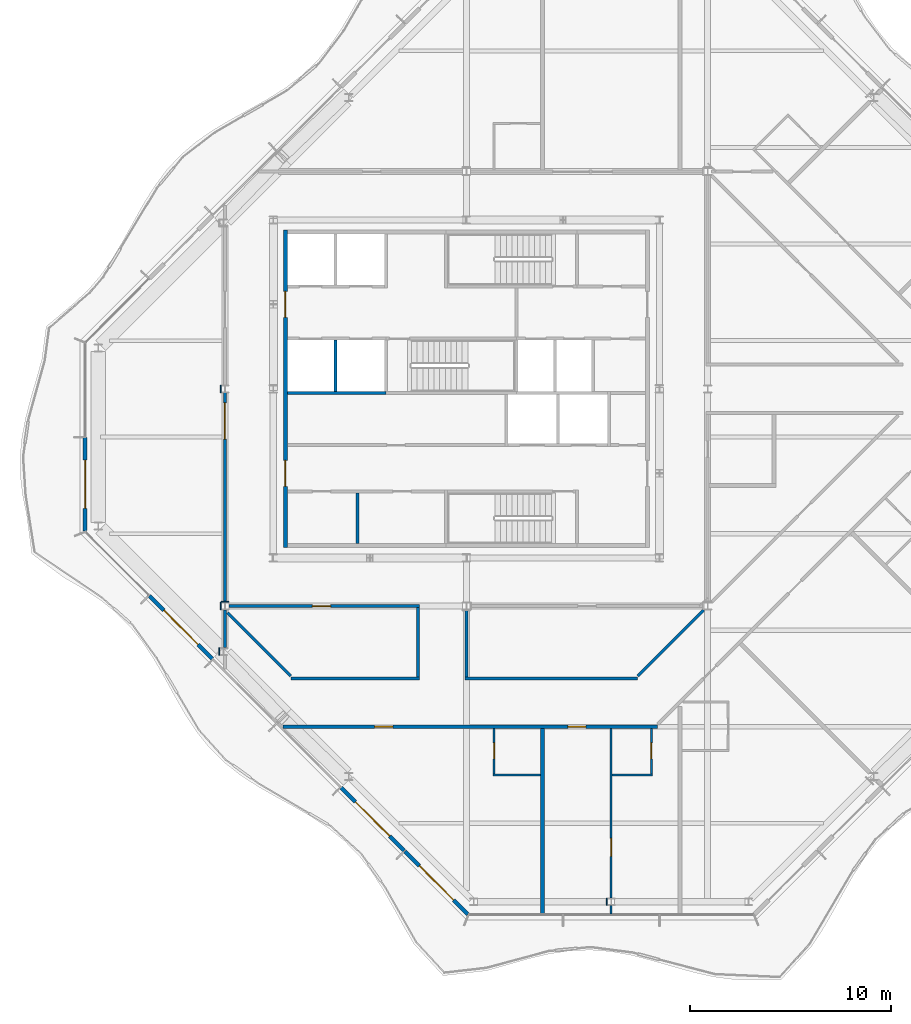
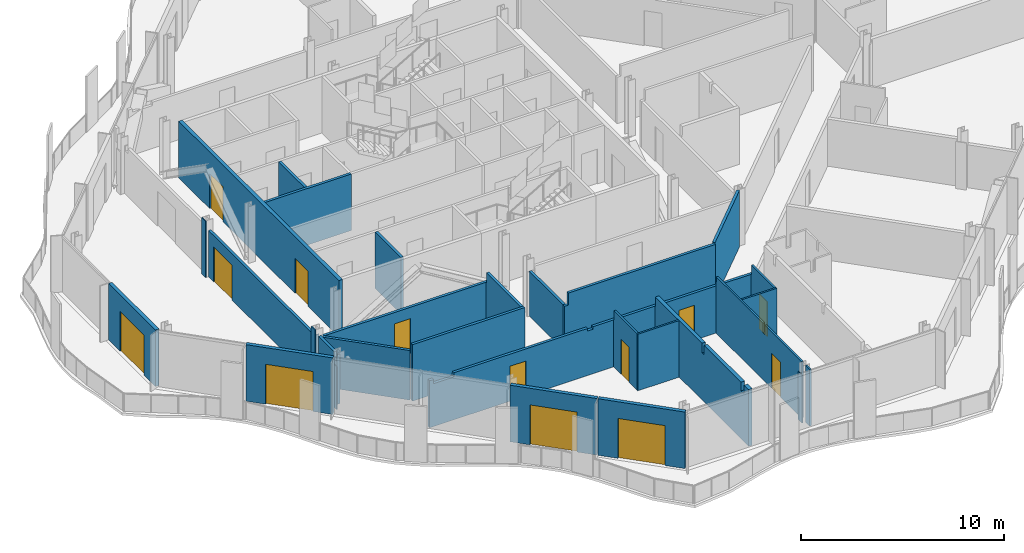
# One storey, part 7 of 17: 30 walls, 13 doors, 13 openings.
"""IFC4 building model written with IfcOpenShell, lengths in metres."""

from ifc_helpers import new_model, si_unit, direction, frame, frame_2d, origin, place, context, subcontext, project, spatial, polyline, rectangle, outline, extrude, material, layer, layer_set, type_object, element, fill, save


model = new_model("IFC4")

# Units and contexts
model_context = context("Model", 3, precision=1e-05, world=origin(), true_north=direction((0.0, 1.0)))
body_context = subcontext(model_context, "Body", "Model", "MODEL_VIEW")
ifc_project = project(units=[si_unit("LENGTHUNIT", "METRE"), si_unit("AREAUNIT", "SQUARE_METRE"), si_unit("VOLUMEUNIT", "CUBIC_METRE"), si_unit("PLANEANGLEUNIT", "RADIAN"), si_unit("MASSUNIT", "GRAM", prefix="KILO")], contexts=[model_context])

# Site, building, storey
site_placement = place(None, origin())
site = spatial("IfcSite", under=ifc_project, at=site_placement, CompositionType="ELEMENT")
building_placement = place(site_placement, origin())
building = spatial("IfcBuilding", under=site, at=building_placement, Name="Cairn Pilgrim Tower", CompositionType="ELEMENT")
storey_placement = place(building_placement, frame((0.0, 0.0, 292.199951171875)))
storey = spatial("IfcBuildingStorey", under=building, at=storey_placement, Name="L75", CompositionType="ELEMENT", Elevation=292.199951171875)

# Wall, opening, door
ifc_material_1 = material(Name="Bronze anodised aluminium insulated sandwich panel with mineral wool fill", Category="aluminium")
ifc_layer_1 = layer(ifc_material_1, 0.199951171875)
ifc_layer_set_1 = layer_set([ifc_layer_1], Name="BRONZE INFILL FRAME WALL 200")
wall_type_1 = type_object("IfcWallType", Name="BRONZE INFILL FRAME WALL 200", PredefinedType="NOTDEFINED", material=ifc_layer_set_1)
wall_1_placement = place(storey_placement, frame((-11.75, -0.030029296875, 0.0), z_axis=(0.0, 0.0, 1.0), x_axis=(0.0, -1.0, 0.0)))
wall_1 = element("IfcWall", 1, at=wall_1_placement, inside=storey, type_object=wall_type_1, Name="Bronze infill frame wall IW-W2", PredefinedType="NOTDEFINED", context=body_context, shape_type="SweptSolid", body=[
    extrude(rectangle(XDim=4.62646484375, YDim=0.199951171875, at=frame_2d((2.313232421875, 0.0))), origin(), (0.0, 0.0, 1.0), 3.400146484375),
])
opening_1_placement = place(wall_1_placement, frame((1.117919921875, 0.0, 0.0)))
opening_1 = element("IfcOpeningElement", 2, at=opening_1_placement, cuts=wall_1, Name="Opening 7502B3", PredefinedType="OPENING", context=body_context, shape_type="SweptSolid", body=[
    extrude(rectangle(XDim=2.39990234375, YDim=2.39990234375, at=frame_2d((1.199951171875, 1.199951171875))), frame((0.0, 0.10986328125, 0.0), z_axis=(0.0, -1.0, 0.0), x_axis=(1.0, 0.0, 0.0)), (0.0, 0.0, 1.0), 0.219970703125),
])
ifc_material_2 = material(Name="Bronze anodised aluminium frame with tinted low-E glass", Category="aluminium")
door_type_1 = type_object("IfcDoorType", Name="BALCONY SLIDING DOOR 2400x2400", OperationType="DOUBLE_DOOR_SLIDING", PredefinedType="DOOR", material=ifc_material_2)
door_1_placement = place(opening_1_placement, origin())
door_1 = element("IfcDoor", 3, at=door_1_placement, inside=storey, type_object=door_type_1, Name="Balcony sliding door 7502B3", OperationType="SINGLE_SWING_LEFT", OverallHeight=2.39990234375, OverallWidth=2.39990234375, PredefinedType="DOOR", context=body_context, shape_type="SweptSolid", body=[
    extrude(rectangle(XDim=2.39990234375, YDim=2.39990234375, at=frame_2d((1.199951171875, 1.199951171875))), frame((0.0, 0.02490234375, 0.0), z_axis=(0.0, -1.0, 0.0), x_axis=(1.0, 0.0, 0.0)), (0.0, 0.0, 1.0), 0.050048828125),
])
fill(opening_1, door_1)

wall_2_placement = place(storey_placement, frame((-8.55322265625, -7.893310546875, 0.0), z_axis=(0.0, 0.0, 1.0), x_axis=(0.707134329907, -0.707079231393, 0.0)))
wall_2 = element("IfcWall", 4, at=wall_2_placement, inside=storey, type_object=wall_type_1, Name="Bronze infill frame wall IW-SW2", PredefinedType="NOTDEFINED", context=body_context, shape_type="SweptSolid", body=[
    extrude(rectangle(XDim=4.430908203125, YDim=0.199951171875, at=frame_2d((2.21533203125, 0.0))), origin(), (0.0, 0.0, 1.0), 3.400146484375),
])
opening_2_placement = place(wall_2_placement, frame((1.015380859375, 0.0, 0.0)))
opening_2 = element("IfcOpeningElement", 5, at=opening_2_placement, cuts=wall_2, Name="Opening 7502B2", PredefinedType="OPENING", context=body_context, shape_type="SweptSolid", body=[
    extrude(rectangle(XDim=2.39990234375, YDim=2.39990234375, at=frame_2d((1.199951171875, 1.199951171875))), frame((0.0, 0.10986328125, 0.0), z_axis=(0.0, -1.0, 0.0), x_axis=(1.0, 0.0, 0.0)), (0.0, 0.0, 1.0), 0.219970703125),
])
door_2_placement = place(opening_2_placement, origin())
door_2 = element("IfcDoor", 6, at=door_2_placement, inside=storey, type_object=door_type_1, Name="Balcony sliding door 7502B2", OperationType="SINGLE_SWING_LEFT", OverallHeight=2.39990234375, OverallWidth=2.39990234375, PredefinedType="DOOR", context=body_context, shape_type="SweptSolid", body=[
    extrude(rectangle(XDim=2.39990234375, YDim=2.39990234375, at=frame_2d((1.199951171875, 1.199951171875))), frame((0.0, 0.02490234375, 0.0), z_axis=(0.0, -1.0, 0.0), x_axis=(1.0, 0.0, 0.0)), (0.0, 0.0, 1.0), 0.050048828125),
])
fill(opening_2, door_2)

wall_3_placement = place(storey_placement, frame((0.9736328125, -17.419921875, 0.0), z_axis=(0.0, 0.0, 1.0), x_axis=(0.707079231393, -0.707134329907, 0.0)))
wall_3 = element("IfcWall", 7, at=wall_3_placement, inside=storey, type_object=wall_type_1, Name="Bronze infill frame wall IW-SW5", PredefinedType="NOTDEFINED", context=body_context, shape_type="SweptSolid", body=[
    extrude(rectangle(XDim=4.430908203125, YDim=0.199951171875, at=frame_2d((2.21533203125, 0.0))), origin(), (0.0, 0.0, 1.0), 3.400146484375),
])
opening_3_placement = place(wall_3_placement, frame((1.01513671875, 0.0, 0.0)))
opening_3 = element("IfcOpeningElement", 8, at=opening_3_placement, cuts=wall_3, Name="Opening 7510B", PredefinedType="OPENING", context=body_context, shape_type="SweptSolid", body=[
    extrude(rectangle(XDim=2.39990234375, YDim=2.39990234375, at=frame_2d((1.199951171875, 1.199951171875))), frame((0.0, 0.10986328125, 0.0), z_axis=(0.0, -1.0, 0.0), x_axis=(1.0, 0.0, 0.0)), (0.0, 0.0, 1.0), 0.219970703125),
])
door_3_placement = place(opening_3_placement, origin())
door_3 = element("IfcDoor", 9, at=door_3_placement, inside=storey, type_object=door_type_1, Name="Balcony sliding door 7510B", OperationType="SINGLE_SWING_LEFT", OverallHeight=2.39990234375, OverallWidth=2.39990234375, PredefinedType="DOOR", context=body_context, shape_type="SweptSolid", body=[
    extrude(rectangle(XDim=2.39990234375, YDim=2.39990234375, at=frame_2d((1.199951171875, 1.199951171875))), frame((0.0, 0.02490234375, 0.0), z_axis=(0.0, -1.0, 0.0), x_axis=(1.0, 0.0, 0.0)), (0.0, 0.0, 1.0), 0.050048828125),
])
fill(opening_3, door_3)

wall_4_placement = place(storey_placement, frame((4.149169921875, -20.595703125, 0.0), z_axis=(0.0, 0.0, 1.0), x_axis=(0.707134392299, -0.707079168996, 0.0)))
wall_4 = element("IfcWall", 10, at=wall_4_placement, inside=storey, type_object=wall_type_1, Name="Bronze infill frame wall IW-SW6", PredefinedType="NOTDEFINED", context=body_context, shape_type="SweptSolid", body=[
    extrude(rectangle(XDim=4.4208984375, YDim=0.199951171875, at=frame_2d((2.21044921875, 0.0))), origin(), (0.0, 0.0, 1.0), 3.400146484375),
])
opening_4_placement = place(wall_4_placement, frame((1.01513671875, 0.0, 0.0)))
opening_4 = element("IfcOpeningElement", 11, at=opening_4_placement, cuts=wall_4, Name="Opening 7510B2", PredefinedType="OPENING", context=body_context, shape_type="SweptSolid", body=[
    extrude(rectangle(XDim=2.39990234375, YDim=2.39990234375, at=frame_2d((1.199951171875, 1.199951171875))), frame((0.0, 0.10986328125, 0.0), z_axis=(0.0, -1.0, 0.0), x_axis=(1.0, 0.0, 0.0)), (0.0, 0.0, 1.0), 0.219970703125),
])
door_4_placement = place(opening_4_placement, origin())
door_4 = element("IfcDoor", 12, at=door_4_placement, inside=storey, type_object=door_type_1, Name="Balcony sliding door 7510B2", OperationType="SINGLE_SWING_LEFT", OverallHeight=2.39990234375, OverallWidth=2.39990234375, PredefinedType="DOOR", context=body_context, shape_type="SweptSolid", body=[
    extrude(rectangle(XDim=2.39990234375, YDim=2.39990234375, at=frame_2d((1.199951171875, 1.199951171875))), frame((0.0, 0.02490234375, 0.0), z_axis=(0.0, -1.0, 0.0), x_axis=(1.0, 0.0, 0.0)), (0.0, 0.0, 1.0), 0.050048828125),
])
fill(opening_4, door_4)

# Wall, openings, doors
ifc_material_3 = material(Name="Concrete C32/40", Category="concrete")
ifc_layer_2 = layer(ifc_material_3, 0.199951171875)
ifc_layer_set_2 = layer_set([ifc_layer_2], Name="CORE OUTER WALL 200 EI 120")
wall_type_2 = type_object("IfcWallType", Name="CORE OUTER WALL 200 EI 120", PredefinedType="SOLIDWALL", material=ifc_layer_set_2)
wall_5_placement = place(storey_placement, frame((-1.800048828125, -5.5, 0.0), z_axis=(0.0, 0.0, 1.0), x_axis=(0.0, 1.0, 0.0)))
wall_5 = element("IfcWall", 13, at=wall_5_placement, inside=storey, type_object=wall_type_2, Name="CW:L75:V13", PredefinedType="SOLIDWALL", context=body_context, shape_type="SweptSolid", body=[
    extrude(rectangle(XDim=15.800048828125, YDim=0.199951171875, at=frame_2d((7.89990234375, 0.0))), origin(), (0.0, 0.0, 1.0), 3.400146484375),
])
opening_5_placement = place(wall_5_placement, frame((3.050048828125, 0.0, 0.0)))
opening_5 = element("IfcOpeningElement", 14, at=opening_5_placement, cuts=wall_5, Name="Opening CD-W1", PredefinedType="OPENING", context=body_context, shape_type="SweptSolid", body=[
    extrude(rectangle(XDim=1.300048828125, YDim=2.10009765625, at=frame_2d((0.64990234375, 1.050048828125))), frame((0.0, 0.10986328125, 0.0), z_axis=(0.0, -1.0, 0.0), x_axis=(1.0, 0.0, 0.0)), (0.0, 0.0, 1.0), 0.219970703125),
])
opening_6_placement = place(wall_5_placement, frame((11.449951171875, 0.0, 0.0)))
opening_6 = element("IfcOpeningElement", 15, at=opening_6_placement, cuts=wall_5, Name="Opening CD-W2", PredefinedType="OPENING", context=body_context, shape_type="SweptSolid", body=[
    extrude(rectangle(XDim=1.300048828125, YDim=2.10009765625, at=frame_2d((0.64990234375, 1.050048828125))), frame((0.0, 0.10986328125, 0.0), z_axis=(0.0, -1.0, 0.0), x_axis=(1.0, 0.0, 0.0)), (0.0, 0.0, 1.0), 0.219970703125),
])
ifc_material_4 = material(Name="Painted steel", Category="steel")
door_type_2 = type_object("IfcDoorType", Name="CORE LOBBY DOOR 1300x2100", OperationType="DOUBLE_DOOR_SINGLE_SWING", PredefinedType="DOOR", material=ifc_material_4)
door_5_placement = place(opening_5_placement, origin())
door_5 = element("IfcDoor", 16, at=door_5_placement, inside=storey, type_object=door_type_2, Name="CD-W1", OperationType="DOUBLE_DOOR_SINGLE_SWING", OverallHeight=2.10009765625, OverallWidth=1.300048828125, PredefinedType="DOOR", context=body_context, shape_type="SweptSolid", body=[
    extrude(rectangle(XDim=1.300048828125, YDim=2.10009765625, at=frame_2d((0.64990234375, 1.050048828125))), frame((0.0, 0.02490234375, 0.0), z_axis=(0.0, -1.0, 0.0), x_axis=(1.0, 0.0, 0.0)), (0.0, 0.0, 1.0), 0.050048828125),
])
fill(opening_5, door_5)
door_6_placement = place(opening_6_placement, origin())
door_6 = element("IfcDoor", 17, at=door_6_placement, inside=storey, type_object=door_type_2, Name="CD-W2", OperationType="DOUBLE_DOOR_SINGLE_SWING", OverallHeight=2.10009765625, OverallWidth=1.300048828125, PredefinedType="DOOR", context=body_context, shape_type="SweptSolid", body=[
    extrude(rectangle(XDim=1.300048828125, YDim=2.10009765625, at=frame_2d((0.64990234375, 1.050048828125))), frame((0.0, 0.02490234375, 0.0), z_axis=(0.0, -1.0, 0.0), x_axis=(1.0, 0.0, 0.0)), (0.0, 0.0, 1.0), 0.050048828125),
])
fill(opening_6, door_6)

# Walls
ifc_layer_3 = layer(ifc_material_3, 0.14990234375)
ifc_layer_set_3 = layer_set([ifc_layer_3], Name="CORE PARTITION 150 EI 60")
wall_type_3 = type_object("IfcWallType", Name="CORE PARTITION 150 EI 60", PredefinedType="PARTITIONING", material=ifc_layer_set_3)
wall_6_placement = place(storey_placement, frame((1.800048828125, -5.300048828125, 0.0), z_axis=(0.0, 0.0, 1.0), x_axis=(0.0, 1.0, 0.0)))
element("IfcWall", 18, at=wall_6_placement, inside=storey, type_object=wall_type_3, Name="CW:L75:V16", PredefinedType="PARTITIONING", context=body_context, shape_type="SweptSolid", body=[
    extrude(rectangle(XDim=2.525146484375, YDim=0.14990234375, at=frame_2d((1.2626953125, 0.0))), origin(), (0.0, 0.0, 1.0), 3.400146484375),
])
ifc_layer_4 = layer(ifc_material_3, 0.14990234375)
ifc_layer_set_4 = layer_set([ifc_layer_4], Name="CORE SHAFT WALL 150 EI 120")
wall_type_4 = type_object("IfcWallType", Name="CORE SHAFT WALL 150 EI 120", PredefinedType="SOLIDWALL", material=ifc_layer_set_4)
wall_7_placement = place(storey_placement, frame((-1.699951171875, 2.199951171875, 0.0), z_axis=(0.0, 0.0, 1.0), x_axis=(1.0, 0.0, 0.0)))
element("IfcWall", 19, at=wall_7_placement, inside=storey, type_object=wall_type_4, Name="CW:L75:H07-1", PredefinedType="SOLIDWALL", context=body_context, shape_type="SweptSolid", body=[
    extrude(rectangle(XDim=4.89990234375, YDim=0.14990234375, at=frame_2d((2.449951171875, 0.0))), origin(), (0.0, 0.0, 1.0), 3.400146484375),
])
wall_8_placement = place(storey_placement, frame((0.699951171875, 2.27490234375, 0.0), z_axis=(0.0, 0.0, 1.0), x_axis=(0.0, 1.0, 0.0)))
element("IfcWall", 20, at=wall_8_placement, inside=storey, type_object=wall_type_4, Name="CW:L75:V14", PredefinedType="SOLIDWALL", context=body_context, shape_type="SweptSolid", body=[
    extrude(rectangle(XDim=2.550048828125, YDim=0.14990234375, at=frame_2d((1.27490234375, 0.0))), origin(), (0.0, 0.0, 1.0), 3.400146484375),
])
ifc_material_5 = material(Name="Gypsum partition")
ifc_layer_5 = layer(ifc_material_5, 0.10009765625)
ifc_layer_set_5 = layer_set([ifc_layer_5], Name="PARTITION 100 DRYWALL")
wall_type_5 = type_object("IfcWallType", Name="PARTITION 100 DRYWALL", PredefinedType="PARTITIONING", material=ifc_layer_set_5)
wall_9_placement = place(storey_placement, frame((14.39990234375, -23.702880859375, 0.0), z_axis=(0.0, 0.0, 1.0), x_axis=(0.0, 1.0, 0.0)))
element("IfcWall", 21, at=wall_9_placement, inside=storey, type_object=wall_type_5, Name="PARTITION W002", PredefinedType="PARTITIONING", context=body_context, shape_type="SweptSolid", body=[
    extrude(rectangle(XDim=0.4189453125, YDim=0.10009765625, at=frame_2d((0.20947265625, 0.0))), origin(), (0.0, 0.0, 1.0), 3.400146484375),
])

# Wall, opening, door
wall_10_placement = place(storey_placement, frame((14.39990234375, -22.916015625, 0.0), z_axis=(0.0, 0.0, 1.0), x_axis=(0.0, 1.0, 0.0)))
wall_10 = element("IfcWall", 22, at=wall_10_placement, inside=storey, type_object=wall_type_5, Name="PARTITION W004", PredefinedType="PARTITIONING", context=body_context, shape_type="SweptSolid", body=[
    extrude(outline(polyline([(0.0, 0.0), (8.44091796875, 0.0), (8.44091796875, 2.830078125), (8.410888671875, 2.830078125), (8.408935546875, 3.400146484375), (3.821044921875, 3.400146484375), (3.819091796875, 2.830078125), (3.611083984375, 2.830078125), (3.60888671875, 3.400146484375), (0.0, 3.400146484375), (0.0, 0.0)])), frame((0.0, 0.050048828125, 0.0), z_axis=(0.0, -1.0, 0.0), x_axis=(1.0, 0.0, 0.0)), (0.0, 0.0, 1.0), 0.10009765625),
])
opening_7_placement = place(wall_10_placement, frame((2.06591796875, 0.0, 0.0)))
opening_7 = element("IfcOpeningElement", 23, at=opening_7_placement, cuts=wall_10, Name="Opening 7511C", PredefinedType="OPENING", context=body_context, shape_type="SweptSolid", body=[
    extrude(rectangle(XDim=0.89990234375, YDim=2.10009765625, at=frame_2d((0.449951171875, 1.050048828125))), frame((0.0, 0.06005859375, 0.0), z_axis=(0.0, -1.0, 0.0), x_axis=(1.0, 0.0, 0.0)), (0.0, 0.0, 1.0), 0.1201171875),
])
ifc_material_6 = material(Name="Timber door leaf", Category="wood")
door_type_3 = type_object("IfcDoorType", Name="SERVICE DOOR 900x2100", OperationType="NOTDEFINED", PredefinedType="DOOR", material=ifc_material_6)
door_7_placement = place(opening_7_placement, origin())
door_7 = element("IfcDoor", 24, at=door_7_placement, inside=storey, type_object=door_type_3, Name="DOOR 7511C", OperationType="SINGLE_SWING_RIGHT", OverallHeight=2.10009765625, OverallWidth=0.89990234375, PredefinedType="DOOR", context=body_context, shape_type="SweptSolid", body=[
    extrude(rectangle(XDim=0.89990234375, YDim=2.10009765625, at=frame_2d((0.449951171875, 1.050048828125))), frame((0.0, 0.02490234375, 0.0), z_axis=(0.0, -1.0, 0.0), x_axis=(1.0, 0.0, 0.0)), (0.0, 0.0, 1.0), 0.050048828125),
])
fill(opening_7, door_7)

# Wall
wall_11_placement = place(storey_placement, frame((8.535888671875, -16.800048828125, 0.0), z_axis=(0.0, 0.0, 1.0), x_axis=(1.0, 0.0, 0.0)))
element("IfcWall", 25, at=wall_11_placement, inside=storey, type_object=wall_type_5, Name="PARTITION W006", PredefinedType="PARTITIONING", context=body_context, shape_type="SweptSolid", body=[
    extrude(rectangle(XDim=2.35009765625, YDim=0.10009765625, at=frame_2d((1.175048828125, 0.0))), origin(), (0.0, 0.0, 1.0), 3.400146484375),
])

# Wall, opening, door
wall_12_placement = place(storey_placement, frame((8.5859375, -16.75, 0.0), z_axis=(0.0, 0.0, 1.0), x_axis=(0.0, 1.0, 0.0)))
wall_12 = element("IfcWall", 26, at=wall_12_placement, inside=storey, type_object=wall_type_5, Name="PARTITION W007", PredefinedType="PARTITIONING", context=body_context, shape_type="SweptSolid", body=[
    extrude(outline(polyline([(0.0, 0.0), (2.27490234375, 0.0), (2.27490234375, 2.830078125), (2.2451171875, 2.830078125), (2.242919921875, 3.400146484375), (0.0, 3.400146484375), (0.0, 0.0)])), frame((0.0, 0.050048828125, 0.0), z_axis=(0.0, -1.0, 0.0), x_axis=(1.0, 0.0, 0.0)), (0.0, 0.0, 1.0), 0.10009765625),
])
opening_8_placement = place(wall_12_placement, frame((0.75, 0.0, 0.0)))
opening_8 = element("IfcOpeningElement", 27, at=opening_8_placement, cuts=wall_12, Name="Opening 7510A", PredefinedType="OPENING", context=body_context, shape_type="SweptSolid", body=[
    extrude(rectangle(XDim=0.800048828125, YDim=2.10009765625, at=frame_2d((0.39990234375, 1.050048828125))), frame((0.0, 0.06005859375, 0.0), z_axis=(0.0, -1.0, 0.0), x_axis=(1.0, 0.0, 0.0)), (0.0, 0.0, 1.0), 0.1201171875),
])
door_type_4 = type_object("IfcDoorType", Name="WC DOOR 800x2100", OperationType="NOTDEFINED", PredefinedType="DOOR", material=ifc_material_6)
door_8_placement = place(opening_8_placement, origin())
door_8 = element("IfcDoor", 28, at=door_8_placement, inside=storey, type_object=door_type_4, Name="DOOR 7510A", OperationType="SINGLE_SWING_RIGHT", OverallHeight=2.10009765625, OverallWidth=0.800048828125, PredefinedType="DOOR", context=body_context, shape_type="SweptSolid", body=[
    extrude(rectangle(XDim=0.800048828125, YDim=2.10009765625, at=frame_2d((0.39990234375, 1.050048828125))), frame((0.0, 0.02490234375, 0.0), z_axis=(0.0, -1.0, 0.0), x_axis=(1.0, 0.0, 0.0)), (0.0, 0.0, 1.0), 0.050048828125),
])
fill(opening_8, door_8)

# Wall
wall_13_placement = place(storey_placement, frame((14.449951171875, -16.800048828125, 0.0), z_axis=(0.0, 0.0, 1.0), x_axis=(1.0, 0.0, 0.0)))
element("IfcWall", 29, at=wall_13_placement, inside=storey, type_object=wall_type_5, Name="PARTITION W008", PredefinedType="PARTITIONING", context=body_context, shape_type="SweptSolid", body=[
    extrude(rectangle(XDim=2.0, YDim=0.10009765625, at=frame_2d((1.0, 0.0))), origin(), (0.0, 0.0, 1.0), 3.400146484375),
])

# Wall, opening, door
wall_14_placement = place(storey_placement, frame((16.39990234375, -16.75, 0.0), z_axis=(0.0, 0.0, 1.0), x_axis=(0.0, 1.0, 0.0)))
wall_14 = element("IfcWall", 30, at=wall_14_placement, inside=storey, type_object=wall_type_5, Name="PARTITION W009", PredefinedType="PARTITIONING", context=body_context, shape_type="SweptSolid", body=[
    extrude(outline(polyline([(0.0, 0.0), (2.27490234375, 0.0), (2.27490234375, 2.830078125), (2.2451171875, 2.830078125), (2.242919921875, 3.400146484375), (0.0, 3.400146484375), (0.0, 0.0)])), frame((0.0, 0.050048828125, 0.0), z_axis=(0.0, -1.0, 0.0), x_axis=(1.0, 0.0, 0.0)), (0.0, 0.0, 1.0), 0.10009765625),
])
opening_9_placement = place(wall_14_placement, frame((0.75, 0.0, 0.0)))
opening_9 = element("IfcOpeningElement", 31, at=opening_9_placement, cuts=wall_14, Name="Opening 7511A", PredefinedType="OPENING", context=body_context, shape_type="SweptSolid", body=[
    extrude(rectangle(XDim=0.800048828125, YDim=2.10009765625, at=frame_2d((0.39990234375, 1.050048828125))), frame((0.0, 0.06005859375, 0.0), z_axis=(0.0, -1.0, 0.0), x_axis=(1.0, 0.0, 0.0)), (0.0, 0.0, 1.0), 0.1201171875),
])
door_9_placement = place(opening_9_placement, frame((0.800048828125, 0.0, 0.0), z_axis=(0.0, 0.0, 1.0), x_axis=(-1.0, 0.0, 0.0)))
door_9 = element("IfcDoor", 32, at=door_9_placement, inside=storey, type_object=door_type_4, Name="DOOR 7511A", OperationType="SINGLE_SWING_RIGHT", OverallHeight=2.10009765625, OverallWidth=0.800048828125, PredefinedType="DOOR", context=body_context, shape_type="SweptSolid", body=[
    extrude(rectangle(XDim=0.800048828125, YDim=2.10009765625, at=frame_2d((0.39990234375, 1.050048828125))), frame((0.0, 0.02490234375, 0.0), z_axis=(0.0, -1.0, 0.0), x_axis=(1.0, 0.0, 0.0)), (0.0, 0.0, 1.0), 0.050048828125),
])
fill(opening_9, door_9)

# Wall, openings, doors
ifc_layer_6 = layer(ifc_material_5, 0.14990234375)
ifc_layer_set_6 = layer_set([ifc_layer_6], Name="PARTITION 150 DRYWALL EI 60")
wall_type_6 = type_object("IfcWallType", Name="PARTITION 150 DRYWALL EI 60", PredefinedType="PARTITIONING", material=ifc_layer_set_6)
wall_15_placement = place(storey_placement, frame((-1.926025390625, -14.39990234375, 0.0), z_axis=(0.0, 0.0, 1.0), x_axis=(1.0, 0.0, 0.0)))
wall_15 = element("IfcWall", 33, at=wall_15_placement, inside=storey, type_object=wall_type_6, Name="PARTITION W013", PredefinedType="PARTITIONING", context=body_context, shape_type="SweptSolid", body=[
    extrude(outline(polyline([(0.0, 0.0), (18.626220703125, 0.0), (18.626220703125, 2.830078125), (9.276123046875, 2.830078125), (9.274169921875, 2.679931640625), (8.97607421875, 2.679931640625), (8.97412109375, 2.830078125), (1.368896484375, 2.830078125), (1.366943359375, 2.580078125), (0.22900390625, 2.580078125), (0.226806640625, 2.830078125), (0.0, 2.830078125), (0.0, 0.0)])), frame((0.0, 0.074951171875, 0.0), z_axis=(0.0, -1.0, 0.0), x_axis=(1.0, 0.0, 0.0)), (0.0, 0.0, 1.0), 0.14990234375),
])
opening_10_placement = place(wall_15_placement, frame((4.569091796875, 0.0, 0.0)))
opening_10 = element("IfcOpeningElement", 34, at=opening_10_placement, cuts=wall_15, Name="Opening 7510", PredefinedType="OPENING", context=body_context, shape_type="SweptSolid", body=[
    extrude(rectangle(XDim=0.89990234375, YDim=2.10009765625, at=frame_2d((0.449951171875, 1.050048828125))), frame((0.0, 0.0849609375, 0.0), z_axis=(0.0, -1.0, 0.0), x_axis=(1.0, 0.0, 0.0)), (0.0, 0.0, 1.0), 0.169921875),
])
opening_11_placement = place(wall_15_placement, frame((14.169189453125, 0.0, 0.0)))
opening_11 = element("IfcOpeningElement", 35, at=opening_11_placement, cuts=wall_15, Name="Opening 7511", PredefinedType="OPENING", context=body_context, shape_type="SweptSolid", body=[
    extrude(rectangle(XDim=0.89990234375, YDim=2.10009765625, at=frame_2d((0.449951171875, 1.050048828125))), frame((0.0, 0.0849609375, 0.0), z_axis=(0.0, -1.0, 0.0), x_axis=(1.0, 0.0, 0.0)), (0.0, 0.0, 1.0), 0.169921875),
])
door_type_5 = type_object("IfcDoorType", Name="ROOM DOOR 900x2100 FD30S", OperationType="NOTDEFINED", PredefinedType="DOOR", material=ifc_material_6)
door_10_placement = place(opening_10_placement, frame((0.89990234375, 0.0, 0.0), z_axis=(0.0, 0.0, 1.0), x_axis=(-1.0, 0.0, 0.0)))
door_10 = element("IfcDoor", 36, at=door_10_placement, inside=storey, type_object=door_type_5, Name="DOOR 7510", OperationType="SINGLE_SWING_RIGHT", OverallHeight=2.10009765625, OverallWidth=0.89990234375, PredefinedType="DOOR", context=body_context, shape_type="SweptSolid", body=[
    extrude(rectangle(XDim=0.89990234375, YDim=2.10009765625, at=frame_2d((0.449951171875, 1.050048828125))), frame((0.0, 0.02490234375, 0.0), z_axis=(0.0, -1.0, 0.0), x_axis=(1.0, 0.0, 0.0)), (0.0, 0.0, 1.0), 0.050048828125),
])
fill(opening_10, door_10)
door_11_placement = place(opening_11_placement, frame((0.89990234375, 0.0, 0.0), z_axis=(0.0, 0.0, 1.0), x_axis=(-1.0, 0.0, 0.0)))
door_11 = element("IfcDoor", 37, at=door_11_placement, inside=storey, type_object=door_type_5, Name="DOOR 7511", OperationType="SINGLE_SWING_RIGHT", OverallHeight=2.10009765625, OverallWidth=0.89990234375, PredefinedType="DOOR", context=body_context, shape_type="SweptSolid", body=[
    extrude(rectangle(XDim=0.89990234375, YDim=2.10009765625, at=frame_2d((0.449951171875, 1.050048828125))), frame((0.0, 0.02490234375, 0.0), z_axis=(0.0, -1.0, 0.0), x_axis=(1.0, 0.0, 0.0)), (0.0, 0.0, 1.0), 0.050048828125),
])
fill(opening_11, door_11)

# Walls
wall_16_placement = place(storey_placement, frame((-1.51220703125, -12.0, 0.0), z_axis=(0.0, 0.0, 1.0), x_axis=(1.0, 0.0, 0.0)))
element("IfcWall", 38, at=wall_16_placement, inside=storey, type_object=wall_type_6, Name="PARTITION W016", PredefinedType="PARTITIONING", context=body_context, shape_type="SweptSolid", body=[
    extrude(rectangle(XDim=6.38720703125, YDim=0.14990234375, at=frame_2d((3.193603515625, 0.0))), origin(), (0.0, 0.0, 1.0), 3.400146484375),
])
wall_17_placement = place(storey_placement, frame((7.125, -12.0, 0.0), z_axis=(0.0, 0.0, 1.0), x_axis=(1.0, 0.0, 0.0)))
element("IfcWall", 39, at=wall_17_placement, inside=storey, type_object=wall_type_6, Name="PARTITION W017", PredefinedType="PARTITIONING", context=body_context, shape_type="SweptSolid", body=[
    extrude(outline(polyline([(0.0, 0.0), (8.5810546875, 0.0), (8.5810546875, 3.400146484375), (0.22509765625, 3.400146484375), (0.222900390625, 2.679931640625), (0.0, 2.679931640625), (0.0, 0.0)])), frame((0.0, 0.074951171875, 0.0), z_axis=(0.0, -1.0, 0.0), x_axis=(1.0, 0.0, 0.0)), (0.0, 0.0, 1.0), 0.14990234375),
])
wall_18_placement = place(storey_placement, frame((-1.533935546875, -11.8720703125, 0.0), z_axis=(0.0, 0.0, 1.0), x_axis=(-0.707106781187, 0.707106781187, 0.0)))
element("IfcWall", 40, at=wall_18_placement, inside=storey, type_object=wall_type_6, Name="PARTITION W018", PredefinedType="PARTITIONING", context=body_context, shape_type="SweptSolid", body=[
    extrude(rectangle(XDim=4.43798828125, YDim=0.14990234375, at=frame_2d((2.218994140625, 0.0))), origin(), (0.0, 0.0, 1.0), 2.97998046875),
])
wall_19_placement = place(storey_placement, frame((4.800048828125, -11.925048828125, 0.0), z_axis=(0.0, 0.0, 1.0), x_axis=(0.0, 1.0, 0.0)))
element("IfcWall", 41, at=wall_19_placement, inside=storey, type_object=wall_type_6, Name="PARTITION W019", PredefinedType="PARTITIONING", context=body_context, shape_type="SweptSolid", body=[
    extrude(outline(polyline([(0.0, 0.0), (3.449951171875, 0.0), (3.449951171875, 2.780029296875), (3.375, 2.780029296875), (3.373046875, 3.400146484375), (0.0, 3.400146484375), (0.0, 0.0)])), frame((0.0, 0.074951171875, 0.0), z_axis=(0.0, -1.0, 0.0), x_axis=(1.0, 0.0, 0.0)), (0.0, 0.0, 1.0), 0.14990234375),
])
wall_20_placement = place(storey_placement, frame((7.199951171875, -11.925048828125, 0.0), z_axis=(0.0, 0.0, 1.0), x_axis=(0.0, 1.0, 0.0)))
element("IfcWall", 42, at=wall_20_placement, inside=storey, type_object=wall_type_6, Name="PARTITION W020", PredefinedType="PARTITIONING", context=body_context, shape_type="SweptSolid", body=[
    extrude(rectangle(XDim=3.337646484375, YDim=0.14990234375, at=frame_2d((1.6689453125, 0.0))), origin(), (0.0, 0.0, 1.0), 2.679931640625),
])
wall_21_placement = place(storey_placement, frame((15.72802734375, -11.8720703125, 0.0), z_axis=(0.0, 0.0, 1.0), x_axis=(0.707106781187, 0.707106781187, 0.0)))
element("IfcWall", 43, at=wall_21_placement, inside=storey, type_object=wall_type_6, Name="PARTITION W021", PredefinedType="PARTITIONING", context=body_context, shape_type="SweptSolid", body=[
    extrude(rectangle(XDim=4.638427734375, YDim=0.14990234375, at=frame_2d((2.3193359375, 0.0))), origin(), (0.0, 0.0, 1.0), 3.400146484375),
])
wall_22_placement = place(storey_placement, frame((-4.800048828125, -10.467529296875, 0.0), z_axis=(0.0, 0.0, 1.0), x_axis=(0.0, 1.0, 0.0)))
element("IfcWall", 44, at=wall_22_placement, inside=storey, type_object=wall_type_6, Name="PARTITION W024", PredefinedType="PARTITIONING", context=body_context, shape_type="SweptSolid", body=[
    extrude(outline(polyline([(0.0, 0.0), (1.861572265625, 0.0), (1.861572265625, 2.97998046875), (0.310302734375, 2.97998046875), (0.30810546875, 2.580078125), (0.065673828125, 2.580078125), (0.063720703125, 2.97998046875), (0.0, 2.97998046875), (0.0, 0.0)])), frame((0.0, 0.074951171875, 0.0), z_axis=(0.0, -1.0, 0.0), x_axis=(1.0, 0.0, 0.0)), (0.0, 0.0, 1.0), 0.14990234375),
])

# Wall, opening, door
wall_23_placement = place(storey_placement, frame((-4.60302734375, -8.39990234375, 0.0), z_axis=(0.0, 0.0, 1.0), x_axis=(1.0, 0.0, 0.0)))
wall_23 = element("IfcWall", 45, at=wall_23_placement, inside=storey, type_object=wall_type_6, Name="PARTITION W026", PredefinedType="PARTITIONING", context=body_context, shape_type="SweptSolid", body=[
    extrude(rectangle(XDim=9.47802734375, YDim=0.14990234375, at=frame_2d((4.739013671875, 0.0))), origin(), (0.0, 0.0, 1.0), 2.780029296875),
])
opening_12_placement = place(wall_23_placement, frame((4.153076171875, 0.0, 0.0)))
opening_12 = element("IfcOpeningElement", 46, at=opening_12_placement, cuts=wall_23, Name="Opening 7515", PredefinedType="OPENING", context=body_context, shape_type="SweptSolid", body=[
    extrude(rectangle(XDim=0.89990234375, YDim=2.10009765625, at=frame_2d((0.449951171875, 1.050048828125))), frame((0.0, 0.0849609375, 0.0), z_axis=(0.0, -1.0, 0.0), x_axis=(1.0, 0.0, 0.0)), (0.0, 0.0, 1.0), 0.169921875),
])
door_type_6 = type_object("IfcDoorType", Name="SERVICE DOOR 900x2100 FD30S", OperationType="NOTDEFINED", PredefinedType="DOOR", material=ifc_material_6)
door_12_placement = place(opening_12_placement, frame((0.89990234375, 0.0, 0.0), z_axis=(0.0, 0.0, 1.0), x_axis=(-1.0, 0.0, 0.0)))
door_12 = element("IfcDoor", 47, at=door_12_placement, inside=storey, type_object=door_type_6, Name="DOOR 7515", OperationType="SINGLE_SWING_RIGHT", OverallHeight=2.10009765625, OverallWidth=0.89990234375, PredefinedType="DOOR", context=body_context, shape_type="SweptSolid", body=[
    extrude(rectangle(XDim=0.89990234375, YDim=2.10009765625, at=frame_2d((0.449951171875, 1.050048828125))), frame((0.0, 0.02490234375, 0.0), z_axis=(0.0, -1.0, 0.0), x_axis=(1.0, 0.0, 0.0)), (0.0, 0.0, 1.0), 0.050048828125),
])
fill(opening_12, door_12)

wall_24_placement = place(storey_placement, frame((-4.800048828125, -8.21240234375, 0.0), z_axis=(0.0, 0.0, 1.0), x_axis=(0.0, 1.0, 0.0)))
wall_24 = element("IfcWall", 48, at=wall_24_placement, inside=storey, type_object=wall_type_6, Name="PARTITION W028", PredefinedType="PARTITIONING", context=body_context, shape_type="SweptSolid", body=[
    extrude(rectangle(XDim=10.4248046875, YDim=0.14990234375, at=frame_2d((5.21240234375, 0.0))), origin(), (0.0, 0.0, 1.0), 2.780029296875),
])
opening_13_placement = place(wall_24_placement, frame((8.112548828125, 0.0, 0.0)))
opening_13 = element("IfcOpeningElement", 49, at=opening_13_placement, cuts=wall_24, Name="Opening 7502", PredefinedType="OPENING", context=body_context, shape_type="SweptSolid", body=[
    extrude(rectangle(XDim=1.800048828125, YDim=2.10009765625, at=frame_2d((0.89990234375, 1.050048828125))), frame((0.0, 0.0849609375, 0.0), z_axis=(0.0, -1.0, 0.0), x_axis=(1.0, 0.0, 0.0)), (0.0, 0.0, 1.0), 0.169921875),
])
door_type_7 = type_object("IfcDoorType", Name="DOOR PAIR 1800x2100 FD60S", OperationType="NOTDEFINED", PredefinedType="DOOR", material=ifc_material_6)
door_13_placement = place(opening_13_placement, origin())
door_13 = element("IfcDoor", 50, at=door_13_placement, inside=storey, type_object=door_type_7, Name="DOOR 7502", OperationType="DOUBLE_DOOR_SINGLE_SWING", OverallHeight=2.10009765625, OverallWidth=1.800048828125, PredefinedType="DOOR", context=body_context, shape_type="SweptSolid", body=[
    extrude(rectangle(XDim=1.800048828125, YDim=2.10009765625, at=frame_2d((0.89990234375, 1.050048828125))), frame((0.0, 0.02490234375, 0.0), z_axis=(0.0, -1.0, 0.0), x_axis=(1.0, 0.0, 0.0)), (0.0, 0.0, 1.0), 0.050048828125),
])
fill(opening_13, door_13)

# Walls
ifc_layer_7 = layer(ifc_material_5, 0.050048828125)
ifc_layer_set_7 = layer_set([ifc_layer_7], Name="PARTITION 50 DRYWALL")
wall_type_7 = type_object("IfcWallType", Name="PARTITION 50 DRYWALL", PredefinedType="PARTITIONING", material=ifc_layer_set_7)
wall_25_placement = place(storey_placement, frame((14.179443359375, -23.283935546875, 0.0), z_axis=(0.0, 0.0, 1.0), x_axis=(0.0, 1.0, 0.0)))
element("IfcWall", 51, at=wall_25_placement, inside=storey, type_object=wall_type_7, Name="COLUMN CASING WC01", PredefinedType="PARTITIONING", context=body_context, shape_type="SweptSolid", body=[
    extrude(rectangle(XDim=0.367919921875, YDim=0.050048828125, at=frame_2d((0.18408203125, 0.0))), origin(), (0.0, 0.0, 1.0), 2.880126953125),
])
ifc_layer_8 = layer(ifc_material_5, 0.050048828125)
ifc_layer_set_8 = layer_set([ifc_layer_8], Name="PARTITION 50 DRYWALL EI 60")
wall_type_8 = type_object("IfcWallType", Name="PARTITION 50 DRYWALL EI 60", PredefinedType="PARTITIONING", material=ifc_layer_set_8)
wall_26_placement = place(storey_placement, frame((-5.09619140625, -10.83544921875, 0.0), z_axis=(0.0, 0.0, 1.0), x_axis=(0.0, 1.0, 0.0)))
element("IfcWall", 52, at=wall_26_placement, inside=storey, type_object=wall_type_8, Name="COLUMN CASING WC07", PredefinedType="PARTITIONING", context=body_context, shape_type="SweptSolid", body=[
    extrude(rectangle(XDim=0.367919921875, YDim=0.050048828125, at=frame_2d((0.18408203125, 0.0))), origin(), (0.0, 0.0, 1.0), 2.580078125),
])
for number, where, z_axis, x_axis, name in (
    (53, (-5.02197265625, -8.58740234375, 0.0), (0.0, 0.0, 1.0), (0.0, 1.0, 0.0), "COLUMN CASING WC08"),
    (54, (-5.02197265625, 2.21240234375, 0.0), (0.0, 0.0, 1.0), (0.0, 1.0, 0.0), "COLUMN CASING WC09"),
):
    element("IfcWall", number, at=place(storey_placement, frame(where, z_axis=z_axis, x_axis=x_axis)), inside=storey, type_object=wall_type_8, Name=name, PredefinedType="PARTITIONING", context=body_context, shape_type="SweptSolid", body=[
        extrude(rectangle(XDim=0.375, YDim=0.050048828125, at=frame_2d((0.1875, 0.0))), origin(), (0.0, 0.0, 1.0), 3.400146484375),
    ])
wall_27_placement = place(storey_placement, frame((-4.9970703125, -8.1875, 0.0), z_axis=(0.0, 0.0, 1.0), x_axis=(1.0, 0.0, 0.0)))
element("IfcWall", 55, at=wall_27_placement, inside=storey, type_object=wall_type_8, Name="COLUMN CASING WC11", PredefinedType="PARTITIONING", context=body_context, shape_type="SweptSolid", body=[
    extrude(rectangle(XDim=0.39404296875, YDim=0.050048828125, at=frame_2d((0.197021484375, 0.0))), origin(), (0.0, 0.0, 1.0), 2.780029296875),
])
ifc_layer_9 = layer(ifc_material_5, 0.199951171875)
ifc_layer_set_9 = layer_set([ifc_layer_9], Name="SHAFT WALL 200 GYPSUM EI 60")
wall_type_9 = type_object("IfcWallType", Name="SHAFT WALL 200 GYPSUM EI 60", PredefinedType="PARTITIONING", material=ifc_layer_set_9)
wall_28_placement = place(storey_placement, frame((10.986083984375, -23.702880859375, 0.0), z_axis=(0.0, 0.0, 1.0), x_axis=(0.0, 1.0, 0.0)))
element("IfcWall", 56, at=wall_28_placement, inside=storey, type_object=wall_type_9, Name="PARTITION W001", PredefinedType="PARTITIONING", context=body_context, shape_type="SweptSolid", body=[
    extrude(outline(polyline([(0.0, 0.0), (9.227783203125, 0.0), (9.22802734375, 2.830078125), (9.197998046875, 2.830078125), (9.196044921875, 3.400146484375), (4.60791015625, 3.400146484375), (4.60595703125, 2.830078125), (4.39794921875, 2.830078125), (4.39599609375, 3.400146484375), (0.7529296875, 3.400146484375), (0.7509765625, 2.880126953125), (0.452880859375, 2.880126953125), (0.450927734375, 3.400146484375), (0.0, 3.400146484375), (0.0, 0.0)])), frame((0.0, 0.10009765625, 0.0), z_axis=(0.0, -1.0, 0.0), x_axis=(1.0, 0.0, 0.0)), (0.0, 0.0, 1.0), 0.199951171875),
])

save(model, "model.ifc")
